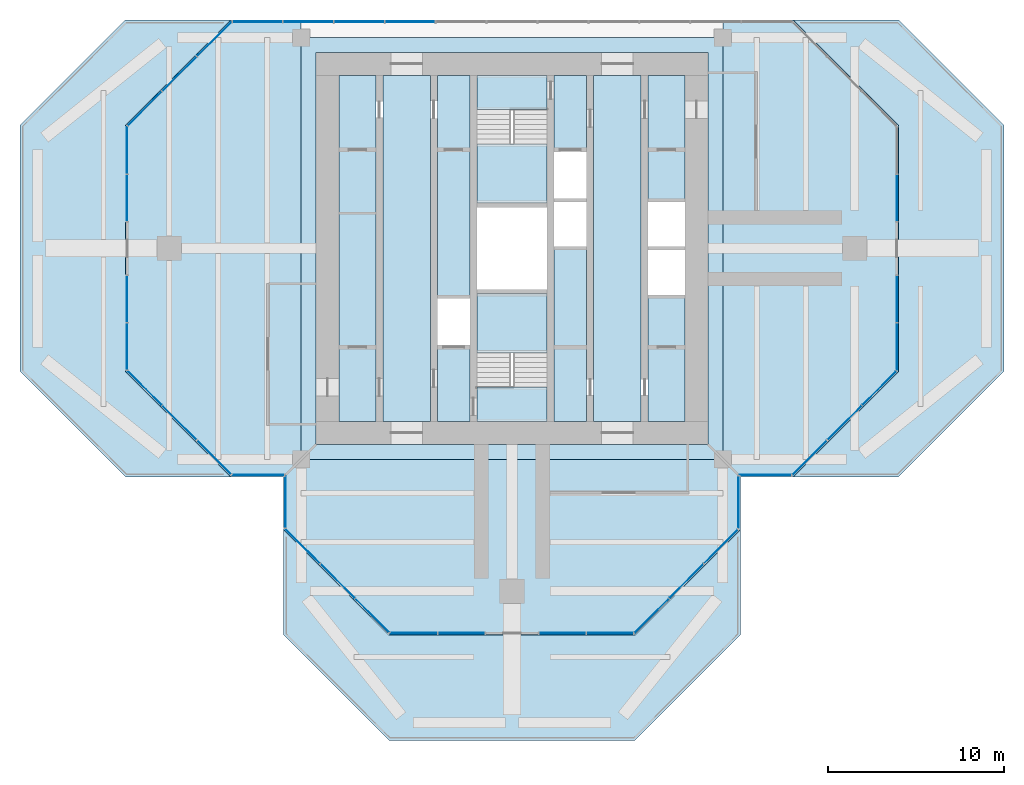
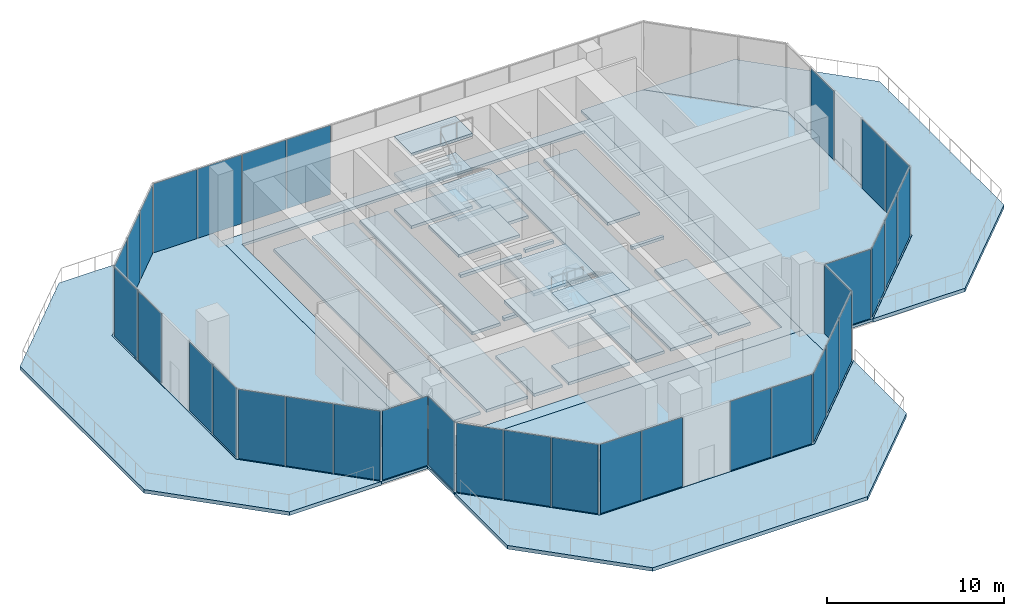
# One storey, part 8 of 13: 34 plates, 18 slabs, 18 elements without a shape of their own.
"""IFC4 building model written with IfcOpenShell, lengths in metres."""

from ifc_helpers import new_model, si_unit, direction, frame, origin, origin_2d, place, context, subcontext, project, spatial, polyline, rectangle, outline, extrude, material, layer, layer_set, type_object, element, aggregate, save


model = new_model("IFC4")

# Units and contexts
model_context = context("Model", 3, precision=1e-05, world=origin(), true_north=direction((0.0, 1.0)))
body_context = subcontext(model_context, "Body", "Model", "MODEL_VIEW")
ifc_project = project(units=[si_unit("LENGTHUNIT", "METRE"), si_unit("AREAUNIT", "SQUARE_METRE"), si_unit("VOLUMEUNIT", "CUBIC_METRE"), si_unit("PLANEANGLEUNIT", "RADIAN"), si_unit("MASSUNIT", "GRAM", prefix="KILO")], contexts=[model_context])

# Site, building, storey
site_placement = place(None, origin())
site = spatial("IfcSite", under=ifc_project, at=site_placement, CompositionType="ELEMENT")
building_placement = place(site_placement, origin())
building = spatial("IfcBuilding", under=site, at=building_placement, Name="Mizan Broadcast Tower", CompositionType="ELEMENT")
storey_placement = place(building_placement, frame((0.0, 0.0, 306.300048828125)))
storey = spatial("IfcBuildingStorey", under=building, at=storey_placement, Name="L73", CompositionType="ELEMENT", Elevation=306.300048828125)

# Slab
ifc_material_1 = material(Name="Concrete C40/50", Category="concrete")
ifc_layer_1 = layer(ifc_material_1, 0.199951171875)
ifc_layer_set_1 = layer_set([ifc_layer_1], Name="Concrete C40/50")
slab_type_1 = type_object("IfcSlabType", Name="CORE FLOOR 200", PredefinedType="FLOOR", material=ifc_layer_set_1)
slab_1_placement = place(storey_placement, frame((0.0, 0.0, -0.199951171875)))
element("IfcSlab", 1, at=slab_1_placement, inside=storey, type_object=slab_type_1, Name="Core floor L73", PredefinedType="FLOOR", context=body_context, shape_type="SweptSolid", body=[
    extrude(outline(polyline([(-9.85009765625, -9.85009765625), (-7.75, -9.85009765625), (-7.75, 9.85009765625), (-9.85009765625, 9.85009765625), (-9.85009765625, -9.85009765625)])), origin(), (0.0, 0.0, 1.0), 0.199951171875),
    extrude(outline(polyline([(-4.64990234375, 9.85009765625), (-7.35009765625, 9.85009765625), (-7.35009765625, -9.85009765625), (-4.64990234375, -9.85009765625), (-4.64990234375, 9.85009765625)])), origin(), (0.0, 0.0, 1.0), 0.199951171875),
    extrude(outline(polyline([(-4.25, -5.5), (-4.25, -9.85009765625), (-2.39990234375, -9.85009765625), (-2.39990234375, -5.5), (-4.25, -5.5)])), origin(), (0.0, 0.0, 1.0), 0.199951171875),
    extrude(outline(polyline([(-4.25, -2.85009765625), (-2.39990234375, -2.85009765625), (-2.39990234375, 9.85009765625), (-4.25, 9.85009765625), (-4.25, -2.85009765625)])), origin(), (0.0, 0.0, 1.0), 0.199951171875),
    extrude(outline(polyline([(2.0, -2.324951171875), (-2.0, -2.324951171875), (-2.0, -2.574951171875), (2.0, -2.574951171875), (2.0, -2.324951171875)])), origin(), (0.0, 0.0, 1.0), 0.199951171875),
    extrude(outline(polyline([(2.0, 2.574951171875), (-2.0, 2.574951171875), (-2.0, 2.324951171875), (2.0, 2.324951171875), (2.0, 2.574951171875)])), origin(), (0.0, 0.0, 1.0), 0.199951171875),
    extrude(outline(polyline([(4.25, -9.85009765625), (4.25, 0.10009765625), (2.39990234375, 0.10009765625), (2.39990234375, -9.85009765625), (4.25, -9.85009765625)])), origin(), (0.0, 0.0, 1.0), 0.199951171875),
    extrude(outline(polyline([(4.25, 2.64990234375), (4.25, 2.85009765625), (2.39990234375, 2.85009765625), (2.39990234375, 2.64990234375), (4.25, 2.64990234375)])), origin(), (0.0, 0.0, 1.0), 0.199951171875),
    extrude(outline(polyline([(4.25, 5.5), (4.25, 9.85009765625), (2.39990234375, 9.85009765625), (2.39990234375, 5.5), (4.25, 5.5)])), origin(), (0.0, 0.0, 1.0), 0.199951171875),
    extrude(outline(polyline([(4.64990234375, 9.85009765625), (4.64990234375, -9.85009765625), (7.35009765625, -9.85009765625), (7.35009765625, 9.85009765625), (4.64990234375, 9.85009765625)])), origin(), (0.0, 0.0, 1.0), 0.199951171875),
    extrude(outline(polyline([(9.85009765625, -9.85009765625), (9.85009765625, -2.64990234375), (7.75, -2.64990234375), (7.75, -9.85009765625), (9.85009765625, -9.85009765625)])), origin(), (0.0, 0.0, 1.0), 0.199951171875),
    extrude(outline(polyline([(9.85009765625, -0.10009765625), (9.85009765625, 0.10009765625), (7.75, 0.10009765625), (7.75, -0.10009765625), (9.85009765625, -0.10009765625)])), origin(), (0.0, 0.0, 1.0), 0.199951171875),
    extrude(outline(polyline([(7.75, 9.85009765625), (7.75, 2.64990234375), (9.85009765625, 2.64990234375), (9.85009765625, 9.85009765625), (7.75, 9.85009765625)])), origin(), (0.0, 0.0, 1.0), 0.199951171875),
])

# Curtain wall, plate
ifc_material_2 = material(Name="Aluminium framed glazing", Category="aluminium")
curtain_wall_type = type_object("IfcCurtainWallType", Name="LANTERN", PredefinedType="USERDEFINED", material=ifc_material_2)
curtain_wall_1_placement = place(storey_placement, origin())
curtain_wall_1 = element("IfcCurtainWall", 2, at=curtain_wall_1_placement, inside=storey, type_object=curtain_wall_type, Name="Lantern L73 E side", ObjectType="LANTERN", PredefinedType="USERDEFINED")
ifc_material_3 = material(Name="Double glazing, clear laminated", Category="glass")
ifc_layer_2 = layer(ifc_material_3, 0.031982421875)
ifc_layer_set_2 = layer_set([ifc_layer_2], Name="Double glazing, clear laminated")
plate_type = type_object("IfcPlateType", Name="PODIUM GLAZING UNIT", PredefinedType="CURTAIN_PANEL", material=ifc_layer_set_2)
plate_1_placement = place(storey_placement, frame((14.42919921875, -12.89990234375, 0.0), z_axis=(0.0, 0.0, 1.0), x_axis=(1.0, 0.0, 0.0)))
plate_1 = element("IfcPlate", 3, at=plate_1_placement, type_object=plate_type, Name="Lantern L73 E side panel 1.1", PredefinedType="CURTAIN_PANEL", context=body_context, shape_type="SweptSolid", body=[
    extrude(rectangle(XDim=2.9384765625, YDim=0.031982421875, at=origin_2d()), origin(), (0.0, 0.0, 1.0), 4.760009765625),
])
aggregate(curtain_wall_1, [plate_1])

# Curtain wall, plates
curtain_wall_2_placement = place(storey_placement, origin())
curtain_wall_2 = element("IfcCurtainWall", 4, at=curtain_wall_2_placement, inside=storey, type_object=curtain_wall_type, Name="Lantern L73 E chamfer", ObjectType="LANTERN", PredefinedType="USERDEFINED")
plate_2_placement = place(storey_placement, frame((16.95947265625, -11.899169921875, 0.0), z_axis=(0.0, 0.0, 1.0), x_axis=(0.707106781187, 0.707106781187, 0.0)))
plate_2 = element("IfcPlate", 5, at=plate_2_placement, type_object=plate_type, Name="Lantern L73 E chamfer panel 1.1", PredefinedType="CURTAIN_PANEL", context=body_context, shape_type="SweptSolid", body=[
    extrude(rectangle(XDim=2.710693359375, YDim=0.031982421875, at=origin_2d()), origin(), (0.0, 0.0, 1.0), 4.760009765625),
])
plate_3_placement = place(storey_placement, frame((18.92919921875, -9.92919921875, 0.0), z_axis=(0.0, 0.0, 1.0), x_axis=(0.707106781187, 0.707106781187, 0.0)))
plate_3 = element("IfcPlate", 6, at=plate_3_placement, type_object=plate_type, Name="Lantern L73 E chamfer panel 2.1", PredefinedType="CURTAIN_PANEL", context=body_context, shape_type="SweptSolid", body=[
    extrude(rectangle(XDim=2.74072265625, YDim=0.031982421875, at=origin_2d()), origin(), (0.0, 0.0, 1.0), 4.760009765625),
])
plate_4_placement = place(storey_placement, frame((20.899169921875, -7.95947265625, 0.0), z_axis=(0.0, 0.0, 1.0), x_axis=(0.707106781187, 0.707106781187, 0.0)))
plate_4 = element("IfcPlate", 7, at=plate_4_placement, type_object=plate_type, Name="Lantern L73 E chamfer panel 3.1", PredefinedType="CURTAIN_PANEL", context=body_context, shape_type="SweptSolid", body=[
    extrude(rectangle(XDim=2.710693359375, YDim=0.031982421875, at=origin_2d()), origin(), (0.0, 0.0, 1.0), 4.760009765625),
])
aggregate(curtain_wall_2, [plate_2, plate_3, plate_4])

curtain_wall_3_placement = place(storey_placement, origin())
curtain_wall_3 = element("IfcCurtainWall", 8, at=curtain_wall_3_placement, inside=storey, type_object=curtain_wall_type, Name="Lantern L73 E end", ObjectType="LANTERN", PredefinedType="USERDEFINED")
plate_5_placement = place(storey_placement, frame((21.89990234375, -5.578857421875, 0.0), z_axis=(0.0, 0.0, 1.0), x_axis=(0.0, 1.0, 0.0)))
plate_5 = element("IfcPlate", 9, at=plate_5_placement, type_object=plate_type, Name="Lantern L73 E end panel 1.1", PredefinedType="CURTAIN_PANEL", context=body_context, shape_type="SweptSolid", body=[
    extrude(rectangle(XDim=2.639404296875, YDim=0.031982421875, at=origin_2d()), origin(), (0.0, 0.0, 1.0), 4.760009765625),
])
plate_6_placement = place(storey_placement, frame((21.89990234375, -2.879638671875, 0.0), z_axis=(0.0, 0.0, 1.0), x_axis=(0.0, 1.0, 0.0)))
plate_6 = element("IfcPlate", 10, at=plate_6_placement, type_object=plate_type, Name="Lantern L73 E end panel 2.1", PredefinedType="CURTAIN_PANEL", context=body_context, shape_type="SweptSolid", body=[
    extrude(rectangle(XDim=2.639404296875, YDim=0.031982421875, at=origin_2d()), origin(), (0.0, 0.0, 1.0), 4.760009765625),
])
aggregate(curtain_wall_3, [plate_5, plate_6])

# Curtain wall, plate
curtain_wall_4_placement = place(storey_placement, origin())
curtain_wall_4 = element("IfcCurtainWall", 11, at=curtain_wall_4_placement, inside=storey, type_object=curtain_wall_type, Name="Lantern L73 E end", ObjectType="LANTERN", PredefinedType="USERDEFINED")
plate_7_placement = place(storey_placement, frame((21.89990234375, 2.879638671875, 0.0), z_axis=(0.0, 0.0, 1.0), x_axis=(0.0, 1.0, 0.0)))
plate_7 = element("IfcPlate", 12, at=plate_7_placement, type_object=plate_type, Name="Lantern L73 E end panel 1.1", PredefinedType="CURTAIN_PANEL", context=body_context, shape_type="SweptSolid", body=[
    extrude(rectangle(XDim=2.639404296875, YDim=0.031982421875, at=origin_2d()), origin(), (0.0, 0.0, 1.0), 4.760009765625),
])
aggregate(curtain_wall_4, [plate_7])

# Curtain wall, plates
curtain_wall_5_placement = place(storey_placement, origin())
curtain_wall_5 = element("IfcCurtainWall", 13, at=curtain_wall_5_placement, inside=storey, type_object=curtain_wall_type, Name="Lantern L73 N end", ObjectType="LANTERN", PredefinedType="USERDEFINED")
plate_8_placement = place(storey_placement, frame((-5.80322265625, 12.89990234375, 0.0), z_axis=(0.0, 0.0, 1.0), x_axis=(-1.0, 0.0, 0.0)))
plate_8 = element("IfcPlate", 14, at=plate_8_placement, type_object=plate_type, Name="Lantern L73 N end panel 8.1", PredefinedType="CURTAIN_PANEL", context=body_context, shape_type="SweptSolid", body=[
    extrude(rectangle(XDim=2.841552734375, YDim=0.031982421875, at=origin_2d()), origin(), (0.0, 0.0, 1.0), 4.760009765625),
])
plate_9_placement = place(storey_placement, frame((-8.70458984375, 12.89990234375, 0.0), z_axis=(0.0, 0.0, 1.0), x_axis=(-1.0, 0.0, 0.0)))
plate_9 = element("IfcPlate", 15, at=plate_9_placement, type_object=plate_type, Name="Lantern L73 N end panel 9.1", PredefinedType="CURTAIN_PANEL", context=body_context, shape_type="SweptSolid", body=[
    extrude(rectangle(XDim=2.841552734375, YDim=0.031982421875, at=origin_2d()), origin(), (0.0, 0.0, 1.0), 4.760009765625),
])
plate_10_placement = place(storey_placement, frame((-11.606201171875, 12.89990234375, 0.0), z_axis=(0.0, 0.0, 1.0), x_axis=(-1.0, 0.0, 0.0)))
plate_10 = element("IfcPlate", 16, at=plate_10_placement, type_object=plate_type, Name="Lantern L73 N end panel 10.1", PredefinedType="CURTAIN_PANEL", context=body_context, shape_type="SweptSolid", body=[
    extrude(rectangle(XDim=2.841552734375, YDim=0.031982421875, at=origin_2d()), origin(), (0.0, 0.0, 1.0), 4.760009765625),
])
plate_11_placement = place(storey_placement, frame((-14.492919921875, 12.89990234375, 0.0), z_axis=(0.0, 0.0, 1.0), x_axis=(-1.0, 0.0, 0.0)))
plate_11 = element("IfcPlate", 17, at=plate_11_placement, type_object=plate_type, Name="Lantern L73 N end panel 11.1", PredefinedType="CURTAIN_PANEL", context=body_context, shape_type="SweptSolid", body=[
    extrude(rectangle(XDim=2.8115234375, YDim=0.031982421875, at=origin_2d()), origin(), (0.0, 0.0, 1.0), 4.760009765625),
])
aggregate(curtain_wall_5, [plate_8, plate_9, plate_10, plate_11])

curtain_wall_6_placement = place(storey_placement, origin())
curtain_wall_6 = element("IfcCurtainWall", 18, at=curtain_wall_6_placement, inside=storey, type_object=curtain_wall_type, Name="Lantern L73 W chamfer", ObjectType="LANTERN", PredefinedType="USERDEFINED")
plate_12_placement = place(storey_placement, frame((-16.95947265625, 11.899169921875, 0.0), z_axis=(0.0, 0.0, 1.0), x_axis=(-0.707106781187, -0.707106781187, 0.0)))
plate_12 = element("IfcPlate", 19, at=plate_12_placement, type_object=plate_type, Name="Lantern L73 W chamfer panel 1.1", PredefinedType="CURTAIN_PANEL", context=body_context, shape_type="SweptSolid", body=[
    extrude(rectangle(XDim=2.710693359375, YDim=0.031982421875, at=origin_2d()), origin(), (0.0, 0.0, 1.0), 4.760009765625),
])
plate_13_placement = place(storey_placement, frame((-18.92919921875, 9.92919921875, 0.0), z_axis=(0.0, 0.0, 1.0), x_axis=(-0.707106781187, -0.707106781187, 0.0)))
plate_13 = element("IfcPlate", 20, at=plate_13_placement, type_object=plate_type, Name="Lantern L73 W chamfer panel 2.1", PredefinedType="CURTAIN_PANEL", context=body_context, shape_type="SweptSolid", body=[
    extrude(rectangle(XDim=2.74072265625, YDim=0.031982421875, at=origin_2d()), origin(), (0.0, 0.0, 1.0), 4.760009765625),
])
plate_14_placement = place(storey_placement, frame((-20.899169921875, 7.95947265625, 0.0), z_axis=(0.0, 0.0, 1.0), x_axis=(-0.707106781187, -0.707106781187, 0.0)))
plate_14 = element("IfcPlate", 21, at=plate_14_placement, type_object=plate_type, Name="Lantern L73 W chamfer panel 3.1", PredefinedType="CURTAIN_PANEL", context=body_context, shape_type="SweptSolid", body=[
    extrude(rectangle(XDim=2.710693359375, YDim=0.031982421875, at=origin_2d()), origin(), (0.0, 0.0, 1.0), 4.760009765625),
])
aggregate(curtain_wall_6, [plate_12, plate_13, plate_14])

curtain_wall_7_placement = place(storey_placement, origin())
curtain_wall_7 = element("IfcCurtainWall", 22, at=curtain_wall_7_placement, inside=storey, type_object=curtain_wall_type, Name="Lantern L73 W end", ObjectType="LANTERN", PredefinedType="USERDEFINED")
plate_15_placement = place(storey_placement, frame((-21.89990234375, 5.578857421875, 0.0), z_axis=(0.0, 0.0, 1.0), x_axis=(0.0, -1.0, 0.0)))
plate_15 = element("IfcPlate", 23, at=plate_15_placement, type_object=plate_type, Name="Lantern L73 W end panel 1.1", PredefinedType="CURTAIN_PANEL", context=body_context, shape_type="SweptSolid", body=[
    extrude(rectangle(XDim=2.639404296875, YDim=0.031982421875, at=origin_2d()), origin(), (0.0, 0.0, 1.0), 4.760009765625),
])
plate_16_placement = place(storey_placement, frame((-21.89990234375, 2.879638671875, 0.0), z_axis=(0.0, 0.0, 1.0), x_axis=(0.0, -1.0, 0.0)))
plate_16 = element("IfcPlate", 24, at=plate_16_placement, type_object=plate_type, Name="Lantern L73 W end panel 2.1", PredefinedType="CURTAIN_PANEL", context=body_context, shape_type="SweptSolid", body=[
    extrude(rectangle(XDim=2.639404296875, YDim=0.031982421875, at=origin_2d()), origin(), (0.0, 0.0, 1.0), 4.760009765625),
])
aggregate(curtain_wall_7, [plate_15, plate_16])

curtain_wall_8_placement = place(storey_placement, origin())
curtain_wall_8 = element("IfcCurtainWall", 25, at=curtain_wall_8_placement, inside=storey, type_object=curtain_wall_type, Name="Lantern L73 W end", ObjectType="LANTERN", PredefinedType="USERDEFINED")
plate_17_placement = place(storey_placement, frame((-21.89990234375, -2.879638671875, 0.0), z_axis=(0.0, 0.0, 1.0), x_axis=(0.0, -1.0, 0.0)))
plate_17 = element("IfcPlate", 26, at=plate_17_placement, type_object=plate_type, Name="Lantern L73 W end panel 1.1", PredefinedType="CURTAIN_PANEL", context=body_context, shape_type="SweptSolid", body=[
    extrude(rectangle(XDim=2.639404296875, YDim=0.031982421875, at=origin_2d()), origin(), (0.0, 0.0, 1.0), 4.760009765625),
])
plate_18_placement = place(storey_placement, frame((-21.89990234375, -5.578857421875, 0.0), z_axis=(0.0, 0.0, 1.0), x_axis=(0.0, -1.0, 0.0)))
plate_18 = element("IfcPlate", 27, at=plate_18_placement, type_object=plate_type, Name="Lantern L73 W end panel 2.1", PredefinedType="CURTAIN_PANEL", context=body_context, shape_type="SweptSolid", body=[
    extrude(rectangle(XDim=2.639404296875, YDim=0.031982421875, at=origin_2d()), origin(), (0.0, 0.0, 1.0), 4.760009765625),
])
aggregate(curtain_wall_8, [plate_17, plate_18])

curtain_wall_9_placement = place(storey_placement, origin())
curtain_wall_9 = element("IfcCurtainWall", 28, at=curtain_wall_9_placement, inside=storey, type_object=curtain_wall_type, Name="Lantern L73 W chamfer", ObjectType="LANTERN", PredefinedType="USERDEFINED")
plate_19_placement = place(storey_placement, frame((-20.899169921875, -7.95947265625, 0.0), z_axis=(0.0, 0.0, 1.0), x_axis=(0.707106781187, -0.707106781187, 0.0)))
plate_19 = element("IfcPlate", 29, at=plate_19_placement, type_object=plate_type, Name="Lantern L73 W chamfer panel 1.1", PredefinedType="CURTAIN_PANEL", context=body_context, shape_type="SweptSolid", body=[
    extrude(rectangle(XDim=2.710693359375, YDim=0.031982421875, at=origin_2d()), origin(), (0.0, 0.0, 1.0), 4.760009765625),
])
plate_20_placement = place(storey_placement, frame((-18.92919921875, -9.92919921875, 0.0), z_axis=(0.0, 0.0, 1.0), x_axis=(0.707106781187, -0.707106781187, 0.0)))
plate_20 = element("IfcPlate", 30, at=plate_20_placement, type_object=plate_type, Name="Lantern L73 W chamfer panel 2.1", PredefinedType="CURTAIN_PANEL", context=body_context, shape_type="SweptSolid", body=[
    extrude(rectangle(XDim=2.74072265625, YDim=0.031982421875, at=origin_2d()), origin(), (0.0, 0.0, 1.0), 4.760009765625),
])
plate_21_placement = place(storey_placement, frame((-16.95947265625, -11.899169921875, 0.0), z_axis=(0.0, 0.0, 1.0), x_axis=(0.707106781187, -0.707106781187, 0.0)))
plate_21 = element("IfcPlate", 31, at=plate_21_placement, type_object=plate_type, Name="Lantern L73 W chamfer panel 3.1", PredefinedType="CURTAIN_PANEL", context=body_context, shape_type="SweptSolid", body=[
    extrude(rectangle(XDim=2.710693359375, YDim=0.031982421875, at=origin_2d()), origin(), (0.0, 0.0, 1.0), 4.760009765625),
])
aggregate(curtain_wall_9, [plate_19, plate_20, plate_21])

# Curtain wall, plate
curtain_wall_10_placement = place(storey_placement, origin())
curtain_wall_10 = element("IfcCurtainWall", 32, at=curtain_wall_10_placement, inside=storey, type_object=curtain_wall_type, Name="Lantern L73 W side", ObjectType="LANTERN", PredefinedType="USERDEFINED")
plate_22_placement = place(storey_placement, frame((-14.42919921875, -12.89990234375, 0.0), z_axis=(0.0, 0.0, 1.0), x_axis=(1.0, 0.0, 0.0)))
plate_22 = element("IfcPlate", 33, at=plate_22_placement, type_object=plate_type, Name="Lantern L73 W side panel 1.1", PredefinedType="CURTAIN_PANEL", context=body_context, shape_type="SweptSolid", body=[
    extrude(rectangle(XDim=2.9384765625, YDim=0.031982421875, at=origin_2d()), origin(), (0.0, 0.0, 1.0), 4.760009765625),
])
aggregate(curtain_wall_10, [plate_22])

curtain_wall_11_placement = place(storey_placement, origin())
curtain_wall_11 = element("IfcCurtainWall", 34, at=curtain_wall_11_placement, inside=storey, type_object=curtain_wall_type, Name="Lantern L73 S side", ObjectType="LANTERN", PredefinedType="USERDEFINED")
plate_23_placement = place(storey_placement, frame((-12.89990234375, -14.42919921875, 0.0), z_axis=(0.0, 0.0, 1.0), x_axis=(0.0, -1.0, 0.0)))
plate_23 = element("IfcPlate", 35, at=plate_23_placement, type_object=plate_type, Name="Lantern L73 S side panel 1.1", PredefinedType="CURTAIN_PANEL", context=body_context, shape_type="SweptSolid", body=[
    extrude(rectangle(XDim=2.9384765625, YDim=0.031982421875, at=origin_2d()), origin(), (0.0, 0.0, 1.0), 4.760009765625),
])
aggregate(curtain_wall_11, [plate_23])

# Curtain wall, plates
curtain_wall_12_placement = place(storey_placement, origin())
curtain_wall_12 = element("IfcCurtainWall", 36, at=curtain_wall_12_placement, inside=storey, type_object=curtain_wall_type, Name="Lantern L73 S chamfer", ObjectType="LANTERN", PredefinedType="USERDEFINED")
plate_24_placement = place(storey_placement, frame((-11.899169921875, -16.95947265625, 0.0), z_axis=(0.0, 0.0, 1.0), x_axis=(0.707106781187, -0.707106781187, 0.0)))
plate_24 = element("IfcPlate", 37, at=plate_24_placement, type_object=plate_type, Name="Lantern L73 S chamfer panel 1.1", PredefinedType="CURTAIN_PANEL", context=body_context, shape_type="SweptSolid", body=[
    extrude(rectangle(XDim=2.710693359375, YDim=0.031982421875, at=origin_2d()), origin(), (0.0, 0.0, 1.0), 4.760009765625),
])
plate_25_placement = place(storey_placement, frame((-9.92919921875, -18.92919921875, 0.0), z_axis=(0.0, 0.0, 1.0), x_axis=(0.707106781187, -0.707106781187, 0.0)))
plate_25 = element("IfcPlate", 38, at=plate_25_placement, type_object=plate_type, Name="Lantern L73 S chamfer panel 2.1", PredefinedType="CURTAIN_PANEL", context=body_context, shape_type="SweptSolid", body=[
    extrude(rectangle(XDim=2.74072265625, YDim=0.031982421875, at=origin_2d()), origin(), (0.0, 0.0, 1.0), 4.760009765625),
])
plate_26_placement = place(storey_placement, frame((-7.95947265625, -20.899169921875, 0.0), z_axis=(0.0, 0.0, 1.0), x_axis=(0.707106781187, -0.707106781187, 0.0)))
plate_26 = element("IfcPlate", 39, at=plate_26_placement, type_object=plate_type, Name="Lantern L73 S chamfer panel 3.1", PredefinedType="CURTAIN_PANEL", context=body_context, shape_type="SweptSolid", body=[
    extrude(rectangle(XDim=2.710693359375, YDim=0.031982421875, at=origin_2d()), origin(), (0.0, 0.0, 1.0), 4.760009765625),
])
aggregate(curtain_wall_12, [plate_24, plate_25, plate_26])

curtain_wall_13_placement = place(storey_placement, origin())
curtain_wall_13 = element("IfcCurtainWall", 40, at=curtain_wall_13_placement, inside=storey, type_object=curtain_wall_type, Name="Lantern L73 S end", ObjectType="LANTERN", PredefinedType="USERDEFINED")
plate_27_placement = place(storey_placement, frame((-5.578857421875, -21.89990234375, 0.0), z_axis=(0.0, 0.0, 1.0), x_axis=(1.0, 0.0, 0.0)))
plate_27 = element("IfcPlate", 41, at=plate_27_placement, type_object=plate_type, Name="Lantern L73 S end panel 1.1", PredefinedType="CURTAIN_PANEL", context=body_context, shape_type="SweptSolid", body=[
    extrude(rectangle(XDim=2.639404296875, YDim=0.031982421875, at=origin_2d()), origin(), (0.0, 0.0, 1.0), 4.760009765625),
])
plate_28_placement = place(storey_placement, frame((-2.879638671875, -21.89990234375, 0.0), z_axis=(0.0, 0.0, 1.0), x_axis=(1.0, 0.0, 0.0)))
plate_28 = element("IfcPlate", 42, at=plate_28_placement, type_object=plate_type, Name="Lantern L73 S end panel 2.1", PredefinedType="CURTAIN_PANEL", context=body_context, shape_type="SweptSolid", body=[
    extrude(rectangle(XDim=2.639404296875, YDim=0.031982421875, at=origin_2d()), origin(), (0.0, 0.0, 1.0), 4.760009765625),
])
aggregate(curtain_wall_13, [plate_27, plate_28])

curtain_wall_14_placement = place(storey_placement, origin())
curtain_wall_14 = element("IfcCurtainWall", 43, at=curtain_wall_14_placement, inside=storey, type_object=curtain_wall_type, Name="Lantern L73 S end", ObjectType="LANTERN", PredefinedType="USERDEFINED")
plate_29_placement = place(storey_placement, frame((2.879638671875, -21.89990234375, 0.0), z_axis=(0.0, 0.0, 1.0), x_axis=(1.0, 0.0, 0.0)))
plate_29 = element("IfcPlate", 44, at=plate_29_placement, type_object=plate_type, Name="Lantern L73 S end panel 1.1", PredefinedType="CURTAIN_PANEL", context=body_context, shape_type="SweptSolid", body=[
    extrude(rectangle(XDim=2.639404296875, YDim=0.031982421875, at=origin_2d()), origin(), (0.0, 0.0, 1.0), 4.760009765625),
])
plate_30_placement = place(storey_placement, frame((5.578857421875, -21.89990234375, 0.0), z_axis=(0.0, 0.0, 1.0), x_axis=(1.0, 0.0, 0.0)))
plate_30 = element("IfcPlate", 45, at=plate_30_placement, type_object=plate_type, Name="Lantern L73 S end panel 2.1", PredefinedType="CURTAIN_PANEL", context=body_context, shape_type="SweptSolid", body=[
    extrude(rectangle(XDim=2.639404296875, YDim=0.031982421875, at=origin_2d()), origin(), (0.0, 0.0, 1.0), 4.760009765625),
])
aggregate(curtain_wall_14, [plate_29, plate_30])

curtain_wall_15_placement = place(storey_placement, origin())
curtain_wall_15 = element("IfcCurtainWall", 46, at=curtain_wall_15_placement, inside=storey, type_object=curtain_wall_type, Name="Lantern L73 S chamfer", ObjectType="LANTERN", PredefinedType="USERDEFINED")
plate_31_placement = place(storey_placement, frame((7.95947265625, -20.899169921875, 0.0), z_axis=(0.0, 0.0, 1.0), x_axis=(0.707106781187, 0.707106781187, 0.0)))
plate_31 = element("IfcPlate", 47, at=plate_31_placement, type_object=plate_type, Name="Lantern L73 S chamfer panel 1.1", PredefinedType="CURTAIN_PANEL", context=body_context, shape_type="SweptSolid", body=[
    extrude(rectangle(XDim=2.710693359375, YDim=0.031982421875, at=origin_2d()), origin(), (0.0, 0.0, 1.0), 4.760009765625),
])
plate_32_placement = place(storey_placement, frame((9.92919921875, -18.92919921875, 0.0), z_axis=(0.0, 0.0, 1.0), x_axis=(0.707106781187, 0.707106781187, 0.0)))
plate_32 = element("IfcPlate", 48, at=plate_32_placement, type_object=plate_type, Name="Lantern L73 S chamfer panel 2.1", PredefinedType="CURTAIN_PANEL", context=body_context, shape_type="SweptSolid", body=[
    extrude(rectangle(XDim=2.74072265625, YDim=0.031982421875, at=origin_2d()), origin(), (0.0, 0.0, 1.0), 4.760009765625),
])
plate_33_placement = place(storey_placement, frame((11.899169921875, -16.95947265625, 0.0), z_axis=(0.0, 0.0, 1.0), x_axis=(0.707106781187, 0.707106781187, 0.0)))
plate_33 = element("IfcPlate", 49, at=plate_33_placement, type_object=plate_type, Name="Lantern L73 S chamfer panel 3.1", PredefinedType="CURTAIN_PANEL", context=body_context, shape_type="SweptSolid", body=[
    extrude(rectangle(XDim=2.710693359375, YDim=0.031982421875, at=origin_2d()), origin(), (0.0, 0.0, 1.0), 4.760009765625),
])
aggregate(curtain_wall_15, [plate_31, plate_32, plate_33])

# Curtain wall, plate
curtain_wall_16_placement = place(storey_placement, origin())
curtain_wall_16 = element("IfcCurtainWall", 50, at=curtain_wall_16_placement, inside=storey, type_object=curtain_wall_type, Name="Lantern L73 S side", ObjectType="LANTERN", PredefinedType="USERDEFINED")
plate_34_placement = place(storey_placement, frame((12.89990234375, -14.42919921875, 0.0), z_axis=(0.0, 0.0, 1.0), x_axis=(0.0, 1.0, 0.0)))
plate_34 = element("IfcPlate", 51, at=plate_34_placement, type_object=plate_type, Name="Lantern L73 S side panel 1.1", PredefinedType="CURTAIN_PANEL", context=body_context, shape_type="SweptSolid", body=[
    extrude(rectangle(XDim=2.9384765625, YDim=0.031982421875, at=origin_2d()), origin(), (0.0, 0.0, 1.0), 4.760009765625),
])
aggregate(curtain_wall_16, [plate_34])

# Slabs
ifc_material_4 = material(Name="Concrete C32/40", Category="concrete")
ifc_layer_3 = layer(ifc_material_4, 0.179931640625)
ifc_layer_set_3 = layer_set([ifc_layer_3], Name="Concrete C32/40")
slab_type_2 = type_object("IfcSlabType", Name="RC SLAB ON DECK 180", PredefinedType="FLOOR", material=ifc_layer_set_3)
slab_2_placement = place(storey_placement, frame((0.0, 0.0, -0.179931640625)))
element("IfcSlab", 52, at=slab_2_placement, inside=storey, type_object=slab_type_2, Name="Floor slab L73 centre", PredefinedType="FLOOR", context=body_context, shape_type="SweptSolid", body=[
    extrude(outline(polyline([(-12.0, -12.0), (12.0, -12.0), (12.0, 12.0), (-12.0, 12.0), (-12.0, -12.0)]), holes=[polyline([(-11.14990234375, 11.14990234375), (11.14990234375, 11.14990234375), (11.14990234375, -11.14990234375), (-11.14990234375, -11.14990234375), (-11.14990234375, 11.14990234375)])]), origin(), (0.0, 0.0, 1.0), 0.179931640625),
])
slab_3_placement = place(storey_placement, frame((0.0, 0.0, -0.179931640625)))
element("IfcSlab", 53, at=slab_3_placement, inside=storey, type_object=slab_type_2, Name="Floor slab L73 east arm", PredefinedType="FLOOR", context=body_context, shape_type="SweptSolid", body=[
    extrude(outline(polyline([(12.0, -17.0), (13.0, -16.0), (13.0, -13.0), (16.0, -13.0), (22.0, -7.0), (22.0, 7.0), (16.0, 13.0), (13.0, 13.0), (12.0, 13.0), (12.0, -17.0)])), origin(), (0.0, 0.0, 1.0), 0.179931640625),
])
slab_4_placement = place(storey_placement, frame((0.0, 0.0, -0.179931640625)))
element("IfcSlab", 54, at=slab_4_placement, inside=storey, type_object=slab_type_2, Name="Floor slab L73 west arm", PredefinedType="FLOOR", context=body_context, shape_type="SweptSolid", body=[
    extrude(outline(polyline([(-13.0, -16.0), (-12.0, -17.0), (-12.0, 13.0), (-13.0, 13.0), (-16.0, 13.0), (-22.0, 7.0), (-22.0, -7.0), (-16.0, -13.0), (-13.0, -13.0), (-13.0, -16.0)])), origin(), (0.0, 0.0, 1.0), 0.179931640625),
])
slab_5_placement = place(storey_placement, frame((0.0, 0.0, -0.179931640625)))
element("IfcSlab", 55, at=slab_5_placement, inside=storey, type_object=slab_type_2, Name="Floor slab L73 south arm", PredefinedType="FLOOR", context=body_context, shape_type="SweptSolid", body=[
    extrude(outline(polyline([(7.0, -22.0), (12.0, -17.0), (12.0, -12.0), (-12.0, -12.0), (-12.0, -17.0), (-7.0, -22.0), (7.0, -22.0)])), origin(), (0.0, 0.0, 1.0), 0.179931640625),
])
ifc_material_5 = material(Name="Concrete C32/40", Category="concrete")
ifc_layer_4 = layer(ifc_material_5, 0.25)
ifc_layer_set_4 = layer_set([ifc_layer_4], Name="Concrete C32/40")
slab_type_3 = type_object("IfcSlabType", Name="ROOF SLAB ON DECK 250", PredefinedType="ROOF", material=ifc_layer_set_4)
slab_6_placement = place(storey_placement, frame((0.0, 0.0, -0.25)))
element("IfcSlab", 56, at=slab_6_placement, inside=storey, type_object=slab_type_3, Name="Maintenance roof slab L73 part 1", PredefinedType="ROOF", context=body_context, shape_type="SweptSolid", body=[
    extrude(outline(polyline([(22.0, 13.0), (16.01416015625, 13.0), (22.010009765625, 7.004150390625), (22.010009765625, -7.004150390625), (16.01416015625, -13.0), (22.0, -13.0), (28.0, -7.0), (28.0, 7.0), (22.0, 13.0)])), origin(), (0.0, 0.0, 1.0), 0.25),
])
slab_7_placement = place(storey_placement, frame((0.0, 0.0, -0.25)))
element("IfcSlab", 57, at=slab_7_placement, inside=storey, type_object=slab_type_3, Name="Maintenance roof slab L73 part 2", PredefinedType="ROOF", context=body_context, shape_type="SweptSolid", body=[
    extrude(outline(polyline([(13.0, -22.0), (13.0, -16.01416015625), (7.004150390625, -22.010009765625), (-7.004150390625, -22.010009765625), (-13.0, -16.01416015625), (-13.0, -22.0), (-7.0, -28.0), (7.0, -28.0), (13.0, -22.0)])), origin(), (0.0, 0.0, 1.0), 0.25),
])
slab_8_placement = place(storey_placement, frame((0.0, 0.0, -0.25)))
element("IfcSlab", 58, at=slab_8_placement, inside=storey, type_object=slab_type_3, Name="Maintenance roof slab L73 part 3", PredefinedType="ROOF", context=body_context, shape_type="SweptSolid", body=[
    extrude(outline(polyline([(-22.0, -13.0), (-16.01416015625, -13.0), (-22.010009765625, -7.004150390625), (-22.010009765625, 7.004150390625), (-16.01416015625, 13.0), (-22.0, 13.0), (-28.0, 7.0), (-28.0, -7.0), (-22.0, -13.0)])), origin(), (0.0, 0.0, 1.0), 0.25),
])

# Stair, slabs
ifc_material_6 = material(Name="Concrete C40/50", Category="concrete")
stair_type = type_object("IfcStairType", Name="EXIT STAIR", PredefinedType="HALF_TURN_STAIR", material=ifc_material_6)
stair_1_placement = place(storey_placement, origin())
stair_1 = element("IfcStair", 59, at=stair_1_placement, inside=storey, type_object=stair_type, Name="Stair A L73", PredefinedType="HALF_TURN_STAIR")
ifc_material_7 = material(Name="Concrete C40/50", Category="concrete")
ifc_layer_5 = layer(ifc_material_7, 0.199951171875)
ifc_layer_set_5 = layer_set([ifc_layer_5], Name="Concrete C40/50")
slab_type_4 = type_object("IfcSlabType", Name="STAIR LANDING 200", PredefinedType="LANDING", material=ifc_layer_set_5)
slab_9_placement = place(storey_placement, frame((0.0, 0.0, -0.199951171875)))
slab_9 = element("IfcSlab", 60, at=slab_9_placement, type_object=slab_type_4, Name="A landing 1", PredefinedType="LANDING", context=body_context, shape_type="SweptSolid", body=[
    extrude(outline(polyline([(-2.0, -9.85009765625), (-2.0, -7.89990234375), (2.0, -7.89990234375), (2.0, -9.85009765625), (-2.0, -9.85009765625)])), origin(), (0.0, 0.0, 1.0), 0.199951171875),
])
slab_10_placement = place(storey_placement, frame((0.0, 0.0, 1.050048828125)))
slab_10 = element("IfcSlab", 61, at=slab_10_placement, type_object=slab_type_4, Name="A landing 2", PredefinedType="LANDING", context=body_context, shape_type="SweptSolid", body=[
    extrude(outline(polyline([(-2.0, -5.93994140625), (-2.0, -2.574951171875), (2.0, -2.574951171875), (2.0, -5.93994140625), (-2.0, -5.93994140625)])), origin(), (0.0, 0.0, 1.0), 0.199951171875),
])
slab_11_placement = place(storey_placement, frame((0.0, 0.0, 2.300048828125)))
slab_11 = element("IfcSlab", 62, at=slab_11_placement, type_object=slab_type_4, Name="A landing 3", PredefinedType="LANDING", context=body_context, shape_type="SweptSolid", body=[
    extrude(outline(polyline([(-2.0, -9.85009765625), (-2.0, -7.89990234375), (2.0, -7.89990234375), (2.0, -9.85009765625), (-2.0, -9.85009765625)])), origin(), (0.0, 0.0, 1.0), 0.199951171875),
])
slab_12_placement = place(storey_placement, frame((0.0, 0.0, 3.550048828125)))
slab_12 = element("IfcSlab", 63, at=slab_12_placement, type_object=slab_type_4, Name="A landing 4", PredefinedType="LANDING", context=body_context, shape_type="SweptSolid", body=[
    extrude(outline(polyline([(-2.0, -5.93994140625), (-2.0, -2.574951171875), (2.0, -2.574951171875), (2.0, -5.93994140625), (-2.0, -5.93994140625)])), origin(), (0.0, 0.0, 1.0), 0.199951171875),
])
slab_13_placement = place(storey_placement, frame((0.0, 0.0, 4.800048828125)))
slab_13 = element("IfcSlab", 64, at=slab_13_placement, type_object=slab_type_4, Name="A landing 5", PredefinedType="LANDING", context=body_context, shape_type="SweptSolid", body=[
    extrude(outline(polyline([(-2.0, -9.85009765625), (-2.0, -7.89990234375), (2.0, -7.89990234375), (2.0, -9.85009765625), (-2.0, -9.85009765625)])), origin(), (0.0, 0.0, 1.0), 0.199951171875),
])
aggregate(stair_1, [slab_9, slab_10, slab_11, slab_12, slab_13])

stair_2_placement = place(storey_placement, origin())
stair_2 = element("IfcStair", 65, at=stair_2_placement, inside=storey, type_object=stair_type, Name="Stair B L73", PredefinedType="HALF_TURN_STAIR")
slab_14_placement = place(storey_placement, frame((0.0, 0.0, -0.199951171875)))
slab_14 = element("IfcSlab", 66, at=slab_14_placement, type_object=slab_type_4, Name="B landing 1", PredefinedType="LANDING", context=body_context, shape_type="SweptSolid", body=[
    extrude(outline(polyline([(2.0, 9.85009765625), (2.0, 7.89990234375), (-2.0, 7.89990234375), (-2.0, 9.85009765625), (2.0, 9.85009765625)])), origin(), (0.0, 0.0, 1.0), 0.199951171875),
])
slab_15_placement = place(storey_placement, frame((0.0, 0.0, 1.050048828125)))
slab_15 = element("IfcSlab", 67, at=slab_15_placement, type_object=slab_type_4, Name="B landing 2", PredefinedType="LANDING", context=body_context, shape_type="SweptSolid", body=[
    extrude(outline(polyline([(2.0, 5.93994140625), (2.0, 2.574951171875), (-2.0, 2.574951171875), (-2.0, 5.93994140625), (2.0, 5.93994140625)])), origin(), (0.0, 0.0, 1.0), 0.199951171875),
])
slab_16_placement = place(storey_placement, frame((0.0, 0.0, 2.300048828125)))
slab_16 = element("IfcSlab", 68, at=slab_16_placement, type_object=slab_type_4, Name="B landing 3", PredefinedType="LANDING", context=body_context, shape_type="SweptSolid", body=[
    extrude(outline(polyline([(2.0, 9.85009765625), (2.0, 7.89990234375), (-2.0, 7.89990234375), (-2.0, 9.85009765625), (2.0, 9.85009765625)])), origin(), (0.0, 0.0, 1.0), 0.199951171875),
])
slab_17_placement = place(storey_placement, frame((0.0, 0.0, 3.550048828125)))
slab_17 = element("IfcSlab", 69, at=slab_17_placement, type_object=slab_type_4, Name="B landing 4", PredefinedType="LANDING", context=body_context, shape_type="SweptSolid", body=[
    extrude(outline(polyline([(2.0, 5.93994140625), (2.0, 2.574951171875), (-2.0, 2.574951171875), (-2.0, 5.93994140625), (2.0, 5.93994140625)])), origin(), (0.0, 0.0, 1.0), 0.199951171875),
])
slab_18_placement = place(storey_placement, frame((0.0, 0.0, 4.800048828125)))
slab_18 = element("IfcSlab", 70, at=slab_18_placement, type_object=slab_type_4, Name="B landing 5", PredefinedType="LANDING", context=body_context, shape_type="SweptSolid", body=[
    extrude(outline(polyline([(2.0, 9.85009765625), (2.0, 7.89990234375), (-2.0, 7.89990234375), (-2.0, 9.85009765625), (2.0, 9.85009765625)])), origin(), (0.0, 0.0, 1.0), 0.199951171875),
])
aggregate(stair_2, [slab_14, slab_15, slab_16, slab_17, slab_18])

save(model, "model.ifc")
